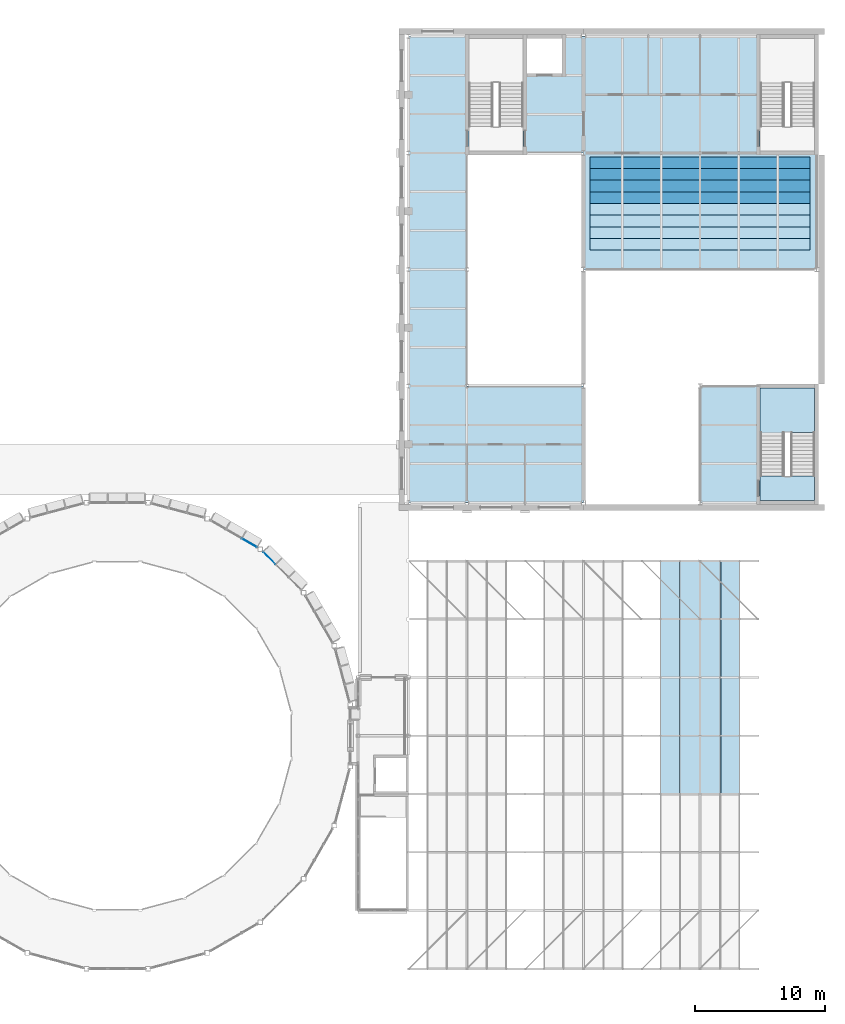
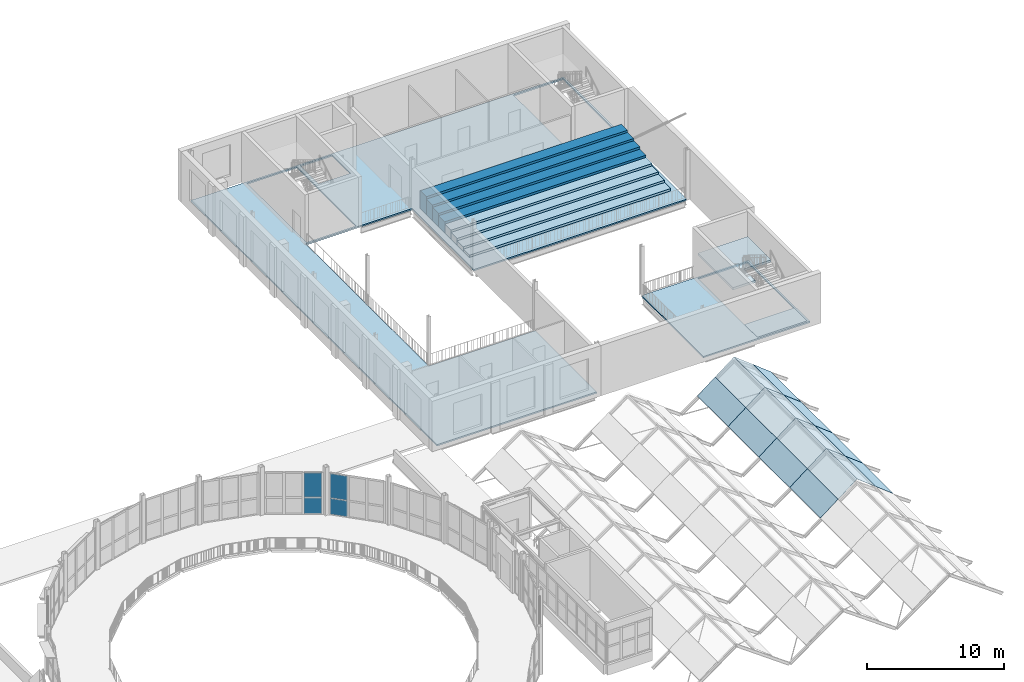
# One storey, part 37 of 74: 20 plates, 12 slabs, 3 elements without a shape of their own.
"""IFC4 building model written with IfcOpenShell, lengths in metres."""

from ifc_helpers import new_model, si_unit, direction, frame, origin, origin_2d, place, context, subcontext, project, spatial, polyline, rectangle, outline, extrude, material, layer, layer_set, type_object, element, aggregate, save


model = new_model("IFC4")

# Units and contexts
model_context = context("Model", 3, precision=1e-05, world=origin(), true_north=direction((0.0, 1.0)))
body_context = subcontext(model_context, "Body", "Model", "MODEL_VIEW")
ifc_project = project(units=[si_unit("LENGTHUNIT", "METRE"), si_unit("AREAUNIT", "SQUARE_METRE"), si_unit("VOLUMEUNIT", "CUBIC_METRE"), si_unit("PLANEANGLEUNIT", "RADIAN"), si_unit("MASSUNIT", "GRAM", prefix="KILO")], contexts=[model_context])

# Site, building, storey
site_placement = place(None, origin())
site = spatial("IfcSite", under=ifc_project, at=site_placement, CompositionType="ELEMENT")
building_placement = place(site_placement, origin())
building = spatial("IfcBuilding", under=site, at=building_placement, Name="Hortulan Conservatory and Botanical Research Centre", CompositionType="ELEMENT")
storey_placement = place(building_placement, frame((0.0, 0.0, 6.0)))
storey = spatial("IfcBuildingStorey", under=building, at=storey_placement, Name="L01", CompositionType="ELEMENT", Elevation=6.0)

# Slabs
ifc_material_1 = material(Name="Precast concrete tier block, grade 40 (40 MPa, AS 3600)", Category="concrete")
slab_type_1 = type_object("IfcSlabType", Name="Circle Tier Block", PredefinedType="FLOOR", material=ifc_material_1)
slab_1_placement = place(storey_placement, origin())
element("IfcSlab", 1, at=slab_1_placement, inside=storey, type_object=slab_type_1, Name="Circle tier row 1 with 20 seats", PredefinedType="FLOOR", context=body_context, shape_type="SweptSolid", body=[
    extrude(outline(polyline([(90.5, 55.5), (107.5, 55.5), (107.5, 56.39990234375), (90.5, 56.39990234375), (90.5, 55.5)])), origin(), (0.0, 0.0, 1.0), 0.199951171875),
])
slab_2_placement = place(storey_placement, origin())
element("IfcSlab", 2, at=slab_2_placement, inside=storey, type_object=slab_type_1, Name="Circle tier row 2 with 20 seats", PredefinedType="FLOOR", context=body_context, shape_type="SweptSolid", body=[
    extrude(outline(polyline([(90.5, 56.39990234375), (107.5, 56.39990234375), (107.5, 57.300048828125), (90.5, 57.300048828125), (90.5, 56.39990234375)])), origin(), (0.0, 0.0, 1.0), 0.39990234375),
])
slab_3_placement = place(storey_placement, origin())
element("IfcSlab", 3, at=slab_3_placement, inside=storey, type_object=slab_type_1, Name="Circle tier row 3 with 20 seats", PredefinedType="FLOOR", context=body_context, shape_type="SweptSolid", body=[
    extrude(outline(polyline([(90.5, 57.300048828125), (107.5, 57.300048828125), (107.5, 58.199951171875), (90.5, 58.199951171875), (90.5, 57.300048828125)])), origin(), (0.0, 0.0, 1.0), 0.60009765625),
])
slab_4_placement = place(storey_placement, origin())
element("IfcSlab", 4, at=slab_4_placement, inside=storey, type_object=slab_type_1, Name="Circle tier row 4 with 20 seats", PredefinedType="FLOOR", context=body_context, shape_type="SweptSolid", body=[
    extrude(outline(polyline([(90.5, 58.199951171875), (107.5, 58.199951171875), (107.5, 59.10009765625), (90.5, 59.10009765625), (90.5, 58.199951171875)])), origin(), (0.0, 0.0, 1.0), 0.800048828125),
])
slab_5_placement = place(storey_placement, origin())
element("IfcSlab", 5, at=slab_5_placement, inside=storey, type_object=slab_type_1, Name="Circle tier row 5 with 20 seats", PredefinedType="FLOOR", context=body_context, shape_type="SweptSolid", body=[
    extrude(outline(polyline([(90.5, 59.10009765625), (107.5, 59.10009765625), (107.5, 60.0), (90.5, 60.0), (90.5, 59.10009765625)])), origin(), (0.0, 0.0, 1.0), 1.0),
])
slab_6_placement = place(storey_placement, origin())
element("IfcSlab", 6, at=slab_6_placement, inside=storey, type_object=slab_type_1, Name="Circle tier row 6 with 20 seats", PredefinedType="FLOOR", context=body_context, shape_type="SweptSolid", body=[
    extrude(outline(polyline([(90.5, 60.0), (107.5, 60.0), (107.5, 60.89990234375), (90.5, 60.89990234375), (90.5, 60.0)])), origin(), (0.0, 0.0, 1.0), 1.199951171875),
])
slab_7_placement = place(storey_placement, origin())
element("IfcSlab", 7, at=slab_7_placement, inside=storey, type_object=slab_type_1, Name="Circle tier row 7 with 20 seats", PredefinedType="FLOOR", context=body_context, shape_type="SweptSolid", body=[
    extrude(outline(polyline([(90.5, 60.89990234375), (107.5, 60.89990234375), (107.5, 61.800048828125), (90.5, 61.800048828125), (90.5, 60.89990234375)])), origin(), (0.0, 0.0, 1.0), 1.39990234375),
])
slab_8_placement = place(storey_placement, origin())
element("IfcSlab", 8, at=slab_8_placement, inside=storey, type_object=slab_type_1, Name="Circle tier row 8 with 20 seats", PredefinedType="FLOOR", context=body_context, shape_type="SweptSolid", body=[
    extrude(outline(polyline([(90.5, 61.800048828125), (107.5, 61.800048828125), (107.5, 62.699951171875), (90.5, 62.699951171875), (90.5, 61.800048828125)])), origin(), (0.0, 0.0, 1.0), 1.60009765625),
])

# Plates
ifc_material_2 = material(Name="Verdigris copper-green zinc sheet on timber decking", Category="wood")
ifc_layer_1 = layer(ifc_material_2, 0.011962890625)
ifc_layer_set_1 = layer_set([ifc_layer_1], Name="Climate House End Bay Zinc Roof Panel 12")
plate_type_1 = type_object("IfcPlateType", Name="Climate House End Bay Zinc Roof Panel 12", PredefinedType="SHEET", material=ifc_layer_set_1)
plate_1_placement = place(storey_placement, frame((95.89794921875, 27.0, 0.2978515625), z_axis=(-0.613967295793, 0.0, 0.789331463769), x_axis=(0.789331463769, 0.0, 0.613967295793)))
element("IfcPlate", 9, at=plate_1_placement, inside=storey, type_object=plate_type_1, Name="Climate house end bay roof panel", PredefinedType="SHEET", context=body_context, shape_type="SweptSolid", body=[
    extrude(outline(polyline([(0.0, 0.0), (1.9003423388659808, 0.0), (1.9003423388659808, 4.5), (0.0, 4.5), (0.0, 0.0)])), origin(), (0.0, 0.0, -1.0), 0.011962890625),
])
plate_2_placement = place(storey_placement, frame((97.39794921875, 27.0, 1.464599609375), z_axis=(-0.613957268838, 0.0, 0.789339262954), x_axis=(0.789339262954, 0.0, 0.613957268838)))
element("IfcPlate", 10, at=plate_2_placement, inside=storey, type_object=plate_type_1, Name="Climate house end bay roof panel", PredefinedType="SHEET", context=body_context, shape_type="SweptSolid", body=[
    extrude(outline(polyline([(0.0, 0.0), (2.0296098983530797, 0.0), (2.0296098983530797, 4.5), (0.0, 4.5), (0.0, 0.0)])), origin(), (0.0, 0.0, -1.0), 0.011962890625),
])
plate_3_placement = place(storey_placement, frame((102.10205078125, 31.5, 0.2978515625), z_axis=(0.613967295793, 0.0, 0.789331463769), x_axis=(-0.789331463769, 0.0, 0.613967295793)))
element("IfcPlate", 11, at=plate_3_placement, inside=storey, type_object=plate_type_1, Name="Climate house end bay roof panel", PredefinedType="SHEET", context=body_context, shape_type="SweptSolid", body=[
    extrude(outline(polyline([(0.0, 0.0), (1.9003423388659808, 0.0), (1.9003423388659808, 4.5), (0.0, 4.5), (0.0, 0.0)])), origin(), (0.0, 0.0, -1.0), 0.011962890625),
])
plate_4_placement = place(storey_placement, frame((100.60205078125, 31.5, 1.464599609375), z_axis=(0.613957268838, 0.0, 0.789339262954), x_axis=(-0.789339262954, 0.0, 0.613957268838)))
element("IfcPlate", 12, at=plate_4_placement, inside=storey, type_object=plate_type_1, Name="Climate house end bay roof panel", PredefinedType="SHEET", context=body_context, shape_type="SweptSolid", body=[
    extrude(outline(polyline([(0.0, 0.0), (2.0296098983530797, 0.0), (2.0296098983530797, 4.5), (0.0, 4.5), (0.0, 0.0)])), origin(), (0.0, 0.0, -1.0), 0.011962890625),
])

# Slabs
ifc_material_3 = material(Name="Concrete N32 (32 MPa, AS 3600)", Category="concrete")
ifc_layer_2 = layer(ifc_material_3, 0.1298828125)
ifc_layer_set_2 = layer_set([ifc_layer_2], Name="Composite Floor Slab 130")
slab_type_2 = type_object("IfcSlabType", Name="Composite Floor Slab 130", PredefinedType="FLOOR", material=ifc_layer_set_2)
slab_9_placement = place(storey_placement, frame((0.0, 0.0, -0.1298828125)))
element("IfcSlab", 13, at=slab_9_placement, inside=storey, type_object=slab_type_2, Name="Floor slab", PredefinedType="FLOOR", context=body_context, shape_type="SweptSolid", body=[
    extrude(outline(polyline([(90.0, 72.0), (76.5, 72.0), (76.5, 36.0), (90.0, 36.0), (90.0, 45.0), (81.0, 45.0), (81.0, 63.0), (90.0, 63.0), (90.0, 54.0), (108.0, 54.0), (108.0, 72.0), (90.0, 72.0)]), holes=[polyline([(81.14990234375, 63.14990234375), (85.35009765625, 63.14990234375), (85.35009765625, 71.85009765625), (81.14990234375, 71.85009765625), (81.14990234375, 63.14990234375)]), polyline([(103.64990234375, 71.85009765625), (103.64990234375, 63.14990234375), (107.85009765625, 63.14990234375), (107.85009765625, 71.85009765625), (103.64990234375, 71.85009765625)]), polyline([(85.64990234375, 71.85009765625), (85.64990234375, 69.14990234375), (88.35009765625, 69.14990234375), (88.35009765625, 71.85009765625), (85.64990234375, 71.85009765625)])]), origin(), (0.0, 0.0, 1.0), 0.1298828125),
])
slab_10_placement = place(storey_placement, frame((0.0, 0.0, -0.1298828125)))
element("IfcSlab", 14, at=slab_10_placement, inside=storey, type_object=slab_type_2, Name="Floor slab", PredefinedType="FLOOR", context=body_context, shape_type="SweptSolid", body=[
    extrude(outline(polyline([(103.5, 45.0), (99.0, 45.0), (99.0, 36.0), (103.5, 36.0), (108.0, 36.0), (108.0, 45.0), (103.5, 45.0)]), holes=[polyline([(103.64990234375, 36.14990234375), (107.85009765625, 36.14990234375), (107.85009765625, 44.85009765625), (103.64990234375, 44.85009765625), (103.64990234375, 36.14990234375)])]), origin(), (0.0, 0.0, 1.0), 0.1298828125),
])

# Plates
ifc_material_4 = material(Name="Low-e laminated glass", Category="glass")
ifc_layer_3 = layer(ifc_material_4, 0.011962890625)
ifc_layer_set_3 = layer_set([ifc_layer_3], Name="Glasshouse Roof Glazing Panel 12")
plate_type_2 = type_object("IfcPlateType", Name="Glasshouse Roof Glazing Panel 12", PredefinedType="SHEET", material=ifc_layer_set_3)
for number, where, z_axis, x_axis, name in (
    (15, (95.89794921875, 13.5, 0.2978515625), (-0.613967295793, 0.0, 0.789331463769), (0.789331463769, 0.0, 0.613967295793), "Glasshouse roof panel"),
    (16, (95.89794921875, 18.0, 0.2978515625), (-0.613967295793, 0.0, 0.789331463769), (0.789331463769, 0.0, 0.613967295793), "Glasshouse roof panel"),
    (17, (95.89794921875, 22.5, 0.2978515625), (-0.613967295793, 0.0, 0.789331463769), (0.789331463769, 0.0, 0.613967295793), "Glasshouse roof panel"),
):
    element("IfcPlate", number, at=place(storey_placement, frame(where, z_axis=z_axis, x_axis=x_axis)), inside=storey, type_object=plate_type_2, Name=name, PredefinedType="SHEET", context=body_context, shape_type="SweptSolid", body=[
        extrude(outline(polyline([(0.0, 0.0), (1.9003423388659808, 0.0), (1.9003423388659808, 4.5), (0.0, 4.5), (0.0, 0.0)])), origin(), (0.0, 0.0, -1.0), 0.011962890625),
    ])
for number, where, z_axis, x_axis, name in (
    (18, (97.39794921875, 13.5, 1.464599609375), (-0.613957268838, 0.0, 0.789339262954), (0.789339262954, 0.0, 0.613957268838), "Glasshouse roof panel"),
    (19, (97.39794921875, 18.0, 1.464599609375), (-0.613957268838, 0.0, 0.789339262954), (0.789339262954, 0.0, 0.613957268838), "Glasshouse roof panel"),
    (20, (97.39794921875, 22.5, 1.464599609375), (-0.613957268838, 0.0, 0.789339262954), (0.789339262954, 0.0, 0.613957268838), "Glasshouse roof panel"),
):
    element("IfcPlate", number, at=place(storey_placement, frame(where, z_axis=z_axis, x_axis=x_axis)), inside=storey, type_object=plate_type_2, Name=name, PredefinedType="SHEET", context=body_context, shape_type="SweptSolid", body=[
        extrude(outline(polyline([(0.0, 0.0), (2.0296098983530797, 0.0), (2.0296098983530797, 4.5), (0.0, 4.5), (0.0, 0.0)])), origin(), (0.0, 0.0, -1.0), 0.011962890625),
    ])
for number, where, z_axis, x_axis, name in (
    (21, (102.10205078125, 18.0, 0.2978515625), (0.613967295793, 0.0, 0.789331463769), (-0.789331463769, 0.0, 0.613967295793), "Glasshouse roof panel"),
    (22, (102.10205078125, 22.5, 0.2978515625), (0.613967295793, 0.0, 0.789331463769), (-0.789331463769, 0.0, 0.613967295793), "Glasshouse roof panel"),
    (23, (102.10205078125, 27.0, 0.2978515625), (0.613967295793, 0.0, 0.789331463769), (-0.789331463769, 0.0, 0.613967295793), "Glasshouse roof panel"),
):
    element("IfcPlate", number, at=place(storey_placement, frame(where, z_axis=z_axis, x_axis=x_axis)), inside=storey, type_object=plate_type_2, Name=name, PredefinedType="SHEET", context=body_context, shape_type="SweptSolid", body=[
        extrude(outline(polyline([(0.0, 0.0), (1.9003423388659808, 0.0), (1.9003423388659808, 4.5), (0.0, 4.5), (0.0, 0.0)])), origin(), (0.0, 0.0, -1.0), 0.011962890625),
    ])
for number, where, z_axis, x_axis, name in (
    (24, (100.60205078125, 18.0, 1.464599609375), (0.613957268838, 0.0, 0.789339262954), (-0.789339262954, 0.0, 0.613957268838), "Glasshouse roof panel"),
    (25, (100.60205078125, 22.5, 1.464599609375), (0.613957268838, 0.0, 0.789339262954), (-0.789339262954, 0.0, 0.613957268838), "Glasshouse roof panel"),
    (26, (100.60205078125, 27.0, 1.464599609375), (0.613957268838, 0.0, 0.789339262954), (-0.789339262954, 0.0, 0.613957268838), "Glasshouse roof panel"),
):
    element("IfcPlate", number, at=place(storey_placement, frame(where, z_axis=z_axis, x_axis=x_axis)), inside=storey, type_object=plate_type_2, Name=name, PredefinedType="SHEET", context=body_context, shape_type="SweptSolid", body=[
        extrude(outline(polyline([(0.0, 0.0), (2.0296098983530797, 0.0), (2.0296098983530797, 4.5), (0.0, 4.5), (0.0, 0.0)])), origin(), (0.0, 0.0, -1.0), 0.011962890625),
    ])

# Curtain wall, plates
ifc_material_5 = material(Name="Bronze-finished aluminium", Category="aluminium")
ifc_layer_4 = layer(ifc_material_5, 0.10009765625)
ifc_layer_set_4 = layer_set([ifc_layer_4], Name="Bronze-framed Curtain Wall 1500 module")
curtain_wall_type = type_object("IfcCurtainWallType", Name="Bronze-framed Curtain Wall 1500 module", PredefinedType="NOTDEFINED", material=ifc_layer_set_4)
curtain_wall_1_placement = place(storey_placement, origin())
curtain_wall_1 = element("IfcCurtainWall", 27, at=curtain_wall_1_placement, inside=storey, type_object=curtain_wall_type, Name="Curtain wall", PredefinedType="NOTDEFINED")
ifc_layer_5 = layer(ifc_material_4, 0.028076171875)
ifc_layer_set_5 = layer_set([ifc_layer_5], Name="Laminated Glass Panel 28")
plate_type_3 = type_object("IfcPlateType", Name="Laminated Glass Panel 28", PredefinedType="CURTAIN_PANEL", material=ifc_layer_set_5)
plate_5_placement = place(storey_placement, frame((65.738037109375, 31.718017578125, 0.06005859375), z_axis=(0.0, 0.0, 1.0), x_axis=(0.707106781187, -0.707106781187, 0.0)))
plate_5 = element("IfcPlate", 28, at=plate_5_placement, type_object=plate_type_3, Name="CW1 panel 1.1", PredefinedType="CURTAIN_PANEL", context=body_context, shape_type="SweptSolid", body=[
    extrude(rectangle(XDim=1.3251953125, YDim=0.028076171875, at=origin_2d()), origin(), (0.0, 0.0, 1.0), 1.409912109375),
])
plate_6_placement = place(storey_placement, frame((65.738037109375, 31.718017578125, 1.5302734375), z_axis=(0.0, 0.0, 1.0), x_axis=(0.707106781187, -0.707106781187, 0.0)))
plate_6 = element("IfcPlate", 29, at=plate_6_placement, type_object=plate_type_3, Name="CW1 panel 1.2", PredefinedType="CURTAIN_PANEL", context=body_context, shape_type="SweptSolid", body=[
    extrude(rectangle(XDim=1.3251953125, YDim=0.028076171875, at=origin_2d()), origin(), (0.0, 0.0, 1.0), 2.159912109375),
])
aggregate(curtain_wall_1, [plate_5, plate_6])

curtain_wall_2_placement = place(storey_placement, origin())
curtain_wall_2 = element("IfcCurtainWall", 30, at=curtain_wall_2_placement, inside=storey, type_object=curtain_wall_type, Name="Curtain wall", PredefinedType="NOTDEFINED")
plate_7_placement = place(storey_placement, frame((64.217041015625, 32.885986328125, 0.06005859375), z_axis=(0.0, 0.0, 1.0), x_axis=(0.866036280655, -0.499981160235, 0.0)))
plate_7 = element("IfcPlate", 31, at=plate_7_placement, type_object=plate_type_3, Name="CW1 panel 3.1", PredefinedType="CURTAIN_PANEL", context=body_context, shape_type="SweptSolid", body=[
    extrude(rectangle(XDim=1.330078125, YDim=0.028076171875, at=origin_2d()), origin(), (0.0, 0.0, 1.0), 1.409912109375),
])
plate_8_placement = place(storey_placement, frame((64.217041015625, 32.885986328125, 1.5302734375), z_axis=(0.0, 0.0, 1.0), x_axis=(0.866036280655, -0.499981160235, 0.0)))
plate_8 = element("IfcPlate", 32, at=plate_8_placement, type_object=plate_type_3, Name="CW1 panel 3.2", PredefinedType="CURTAIN_PANEL", context=body_context, shape_type="SweptSolid", body=[
    extrude(rectangle(XDim=1.330078125, YDim=0.028076171875, at=origin_2d()), origin(), (0.0, 0.0, 1.0), 2.159912109375),
])
aggregate(curtain_wall_2, [plate_7, plate_8])

# Stair, slab
ifc_material_6 = material(Name="Concrete N40 (40 MPa, AS 3600)", Category="concrete")
stair_type = type_object("IfcStairType", Name="Concrete Escape Stair 1900", PredefinedType="HALF_TURN_STAIR", material=ifc_material_6)
stair_placement = place(storey_placement, origin())
stair = element("IfcStair", 33, at=stair_placement, inside=storey, type_object=stair_type, Name="Stair A2 L01", PredefinedType="HALF_TURN_STAIR")
ifc_layer_6 = layer(ifc_material_6, 0.199951171875)
ifc_layer_set_6 = layer_set([ifc_layer_6], Name="Stair Landing 200")
slab_type_3 = type_object("IfcSlabType", Name="Stair Landing 200", PredefinedType="LANDING", material=ifc_layer_set_6)
slab_11_placement = place(storey_placement, frame((0.0, 0.0, 2.050048828125)))
slab_11 = element("IfcSlab", 34, at=slab_11_placement, type_object=slab_type_3, Name="Stair A2 L01 half landing 1", PredefinedType="LANDING", context=body_context, shape_type="SweptSolid", body=[
    extrude(outline(polyline([(107.85009765625, 41.409423828125), (105.550048828125, 41.409423828125), (105.550048828125, 39.72998046875), (103.64990234375, 39.72998046875), (103.64990234375, 41.409912109375), (103.64990234375, 41.409912109375), (103.64990234375, 41.419921875), (103.64990234375, 44.85009765625), (107.85009765625, 44.85009765625), (107.85009765625, 41.419921875), (107.85009765625, 41.409912109375), (107.85009765625, 41.409423828125)])), origin(), (0.0, 0.0, 1.0), 0.199951171875),
])
aggregate(stair, [slab_11])

# Slab
slab_12_placement = place(storey_placement, frame((0.0, 0.0, -0.199951171875)))
element("IfcSlab", 35, at=slab_12_placement, inside=storey, type_object=slab_type_3, Name="Stair A2 floor landing L01", PredefinedType="LANDING", context=body_context, shape_type="SweptSolid", body=[
    extrude(outline(polyline([(107.85009765625, 36.14990234375), (103.64990234375, 36.14990234375), (103.64990234375, 38.050048828125), (107.85009765625, 38.050048828125), (107.85009765625, 36.14990234375)])), origin(), (0.0, 0.0, 1.0), 0.199951171875),
])

save(model, "model.ifc")
